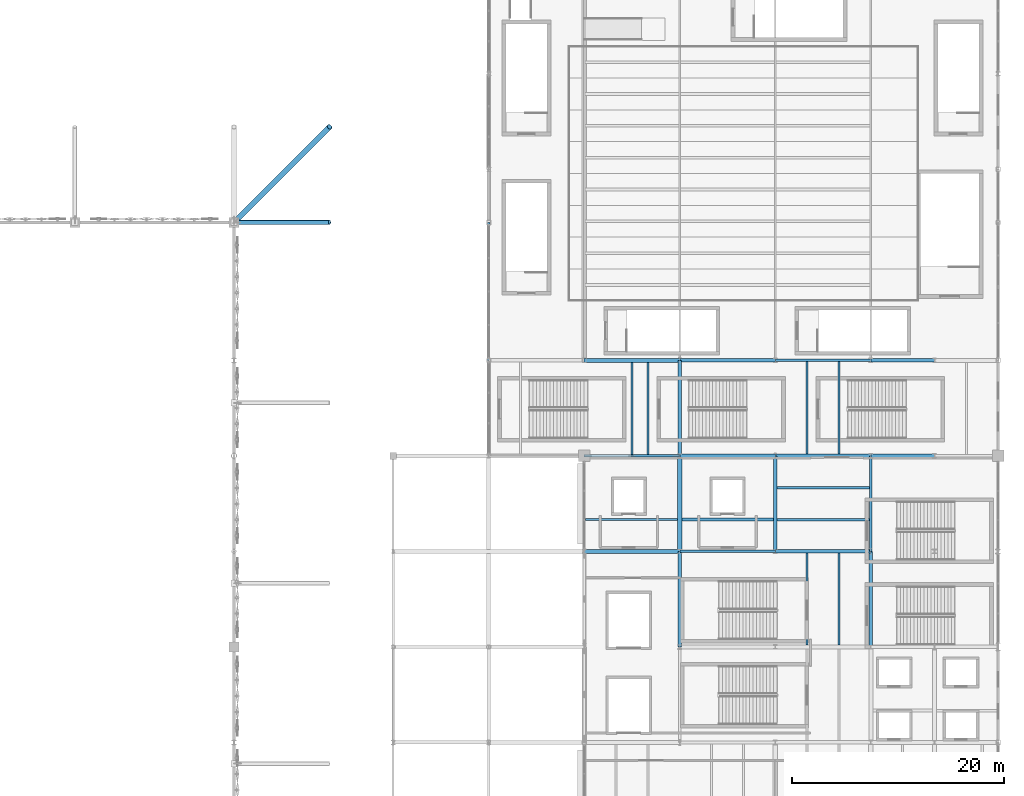
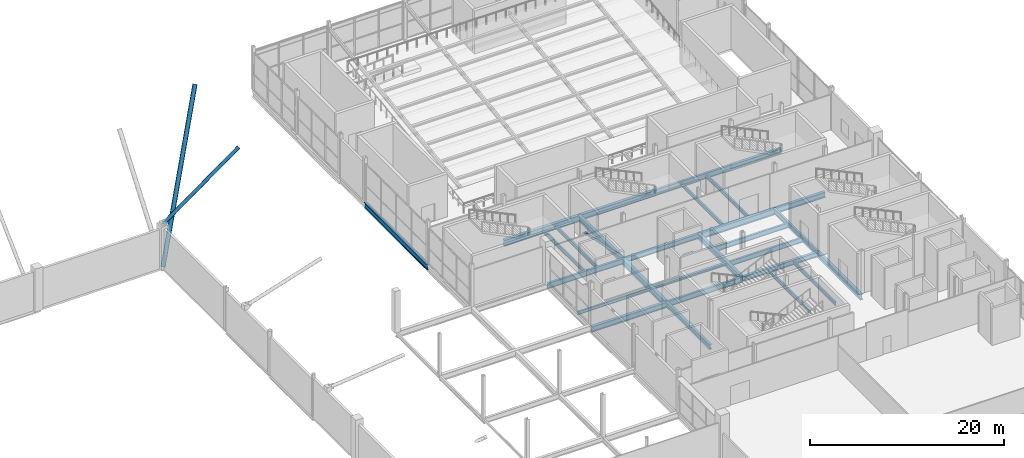
# One storey, part 57 of 119: 28 beams, 3 members.
"""IFC4 building model written with IfcOpenShell, lengths in metres."""

from ifc_helpers import new_model, si_unit, direction, frame, origin, origin_2d, place, context, subcontext, project, spatial, hollow_rectangle, hollow_circle, i_section, extrude, material, material_profile, profile_set, type_object, element, save


model = new_model("IFC4")

# Units and contexts
model_context = context("Model", 3, precision=1e-05, world=origin(), true_north=direction((0.0, 1.0)))
body_context = subcontext(model_context, "Body", "Model", "MODEL_VIEW")
ifc_project = project(units=[si_unit("LENGTHUNIT", "METRE"), si_unit("AREAUNIT", "SQUARE_METRE"), si_unit("VOLUMEUNIT", "CUBIC_METRE"), si_unit("PLANEANGLEUNIT", "RADIAN"), si_unit("MASSUNIT", "GRAM", prefix="KILO")], contexts=[model_context])

# Site, building, storey
site_placement = place(None, origin())
site = spatial("IfcSite", under=ifc_project, at=site_placement, CompositionType="ELEMENT")
building_placement = place(site_placement, origin())
building = spatial("IfcBuilding", under=site, at=building_placement, Name="Qamarlyn Nura Convention Centre", CompositionType="ELEMENT")
storey_placement = place(building_placement, frame((0.0, 0.0, 5.39990234375)))
storey = spatial("IfcBuildingStorey", under=building, at=storey_placement, Name="L01", CompositionType="ELEMENT", Elevation=5.39990234375)

# Beams
ifc_material_1 = material(Name="Steel ASTM A992", Category="steel")
ifc_material_profile_1 = material_profile(ifc_material_1, i_section(OverallWidth=0.323974609375, OverallDepth=0.611083984375, WebThickness=0.0126953125, FlangeThickness=0.01904296875, FilletRadius=0.01611328125, at=origin_2d()), Name="W610X155")
ifc_profile_set_1 = profile_set([ifc_material_profile_1], Name="Steel ASTM A992")
beam_type_1 = type_object("IfcBeamType", Name="BM-GIRD-610", PredefinedType="BEAM", material=ifc_profile_set_1)
for number, where, z_axis, x_axis, name in (
    (1, (171.0, 72.0, -0.525390625), (1.0, 0.0, 0.0), (0.0, 1.0, 0.0), "L01 girder J 15-16"),
    (2, (162.0, 81.0, -0.54541015625), (1.0, 0.0, 0.0), (0.0, 1.0, 0.0), "L01 girder K 14-15"),
):
    element("IfcBeam", number, at=place(storey_placement, frame(where, z_axis=z_axis, x_axis=x_axis)), inside=storey, type_object=beam_type_1, Name=name, PredefinedType="BEAM", context=body_context, shape_type="SweptSolid", body=[
        extrude(i_section(OverallWidth=0.323974609375, OverallDepth=0.611083984375, WebThickness=0.0126953125, FlangeThickness=0.01904296875, FilletRadius=0.01611328125, at=origin_2d()), origin(), (0.0, 0.0, 1.0), 9.0),
    ])
beam_1_placement = place(storey_placement, frame((180.0, 90.0, -0.54541015625), z_axis=(1.0, 0.0, 0.0), x_axis=(0.0, 1.0, 0.0)))
element("IfcBeam", 3, at=beam_1_placement, inside=storey, type_object=beam_type_1, Name="L01 girder L 16-17", PredefinedType="BEAM", context=body_context, shape_type="SweptSolid", body=[
    extrude(i_section(OverallWidth=0.323974609375, OverallDepth=0.611083984375, WebThickness=0.0126953125, FlangeThickness=0.01904296875, FilletRadius=0.01611328125, at=origin_2d()), origin(), (0.0, 0.0, 1.0), 6.0),
])
beam_2_placement = place(storey_placement, frame((162.0, 63.0, -0.525390625), z_axis=(0.0, 1.0, 0.0), x_axis=(-1.0, 0.0, 0.0)))
element("IfcBeam", 4, at=beam_2_placement, inside=storey, type_object=beam_type_1, Name="L01 girder 14 H-J", PredefinedType="BEAM", context=body_context, shape_type="SweptSolid", body=[
    extrude(i_section(OverallWidth=0.323974609375, OverallDepth=0.611083984375, WebThickness=0.0126953125, FlangeThickness=0.01904296875, FilletRadius=0.01611328125, at=origin_2d()), origin(), (0.0, 0.0, 1.0), 9.0),
])
ifc_material_profile_2 = material_profile(ifc_material_1, i_section(OverallWidth=0.35498046875, OverallDepth=0.695068359375, WebThickness=0.015380859375, FlangeThickness=0.02490234375, FilletRadius=0.01806640625, at=origin_2d()), Name="W690X217")
ifc_profile_set_2 = profile_set([ifc_material_profile_2], Name="Steel ASTM A992")
beam_type_2 = type_object("IfcBeamType", Name="BM-GIRD-690A", PredefinedType="BEAM", material=ifc_profile_set_2)
beam_3_placement = place(storey_placement, frame((153.0, 72.0, -0.5673828125), z_axis=(1.0, 0.0, 0.0), x_axis=(0.0, 1.0, 0.0)))
element("IfcBeam", 5, at=beam_3_placement, inside=storey, type_object=beam_type_2, Name="L01 girder J 13-14", PredefinedType="BEAM", context=body_context, shape_type="SweptSolid", body=[
    extrude(i_section(OverallWidth=0.35498046875, OverallDepth=0.695068359375, WebThickness=0.015380859375, FlangeThickness=0.02490234375, FilletRadius=0.01806640625, at=origin_2d()), origin(), (0.0, 0.0, 1.0), 9.0),
])
beam_4_placement = place(storey_placement, frame((180.0, 81.0, -0.58740234375), z_axis=(1.0, 0.0, 0.0), x_axis=(0.0, 1.0, 0.0)))
element("IfcBeam", 6, at=beam_4_placement, inside=storey, type_object=beam_type_2, Name="L01 girder K 16-17", PredefinedType="BEAM", context=body_context, shape_type="SweptSolid", body=[
    extrude(i_section(OverallWidth=0.35498046875, OverallDepth=0.695068359375, WebThickness=0.015380859375, FlangeThickness=0.02490234375, FilletRadius=0.01806640625, at=origin_2d()), origin(), (0.0, 0.0, 1.0), 6.0),
])
for number, where, z_axis, x_axis, name in (
    (7, (162.0, 90.0, -0.58740234375), (1.0, 0.0, 0.0), (0.0, 1.0, 0.0), "L01 girder L 14-15"),
    (8, (162.0, 81.0, -0.58740234375), (0.0, 1.0, 0.0), (-1.0, 0.0, 0.0), "L01 girder 14 K-L"),
    (9, (171.0, 72.0, -0.5673828125), (0.0, 1.0, 0.0), (-1.0, 0.0, 0.0), "L01 girder 15 J-K"),
    (10, (180.0, 63.0, -0.5673828125), (0.0, 1.0, 0.0), (-1.0, 0.0, 0.0), "L01 girder 16 H-J"),
):
    element("IfcBeam", number, at=place(storey_placement, frame(where, z_axis=z_axis, x_axis=x_axis)), inside=storey, type_object=beam_type_2, Name=name, PredefinedType="BEAM", context=body_context, shape_type="SweptSolid", body=[
        extrude(i_section(OverallWidth=0.35498046875, OverallDepth=0.695068359375, WebThickness=0.015380859375, FlangeThickness=0.02490234375, FilletRadius=0.01806640625, at=origin_2d()), origin(), (0.0, 0.0, 1.0), 9.0),
    ])
ifc_material_profile_3 = material_profile(ifc_material_1, i_section(OverallWidth=0.25390625, OverallDepth=0.68408203125, WebThickness=0.012451171875, FlangeThickness=0.01904296875, FilletRadius=0.01806640625, at=origin_2d()), Name="W690X140")
ifc_profile_set_3 = profile_set([ifc_material_profile_3], Name="Steel ASTM A992")
beam_type_3 = type_object("IfcBeamType", Name="BM-GIRD-690B", PredefinedType="BEAM", material=ifc_profile_set_3)
for number, where, z_axis, x_axis, name in (
    (11, (162.0, 72.0, -0.56201171875), (1.0, 0.0, 0.0), (0.0, 1.0, 0.0), "L01 girder J 14-15"),
    (12, (153.0, 81.0, -0.581787109375), (1.0, 0.0, 0.0), (0.0, 1.0, 0.0), "L01 girder K 13-14"),
    (13, (171.0, 90.0, -0.581787109375), (1.0, 0.0, 0.0), (0.0, 1.0, 0.0), "L01 girder L 15-16"),
):
    element("IfcBeam", number, at=place(storey_placement, frame(where, z_axis=z_axis, x_axis=x_axis)), inside=storey, type_object=beam_type_3, Name=name, PredefinedType="BEAM", context=body_context, shape_type="SweptSolid", body=[
        extrude(i_section(OverallWidth=0.25390625, OverallDepth=0.68408203125, WebThickness=0.012451171875, FlangeThickness=0.01904296875, FilletRadius=0.01806640625, at=origin_2d()), origin(), (0.0, 0.0, 1.0), 9.0),
    ])
beam_5_placement = place(storey_placement, frame((144.0, 90.0, -0.581787109375), z_axis=(0.0, 1.0, 0.0), x_axis=(-1.0, 0.0, 0.0)))
element("IfcBeam", 14, at=beam_5_placement, inside=storey, type_object=beam_type_3, Name="L01 girder 12 L-M", PredefinedType="BEAM", context=body_context, shape_type="SweptSolid", body=[
    extrude(i_section(OverallWidth=0.25390625, OverallDepth=0.68408203125, WebThickness=0.012451171875, FlangeThickness=0.01904296875, FilletRadius=0.01806640625, at=origin_2d()), origin(), (0.0, 0.0, 1.0), 13.0),
])
beam_6_placement = place(storey_placement, frame((180.0, 72.0, -0.56201171875), z_axis=(0.0, 1.0, 0.0), x_axis=(-1.0, 0.0, 0.0)))
element("IfcBeam", 15, at=beam_6_placement, inside=storey, type_object=beam_type_3, Name="L01 girder 16 J-K", PredefinedType="BEAM", context=body_context, shape_type="SweptSolid", body=[
    extrude(i_section(OverallWidth=0.25390625, OverallDepth=0.68408203125, WebThickness=0.012451171875, FlangeThickness=0.01904296875, FilletRadius=0.01806640625, at=origin_2d()), origin(), (0.0, 0.0, 1.0), 9.0),
])
ifc_material_profile_4 = material_profile(ifc_material_1, i_section(OverallWidth=0.381103515625, OverallDepth=0.77294921875, WebThickness=0.0166015625, FlangeThickness=0.027587890625, FilletRadius=0.02001953125, at=origin_2d()), Name="W760X257")
ifc_profile_set_4 = profile_set([ifc_material_profile_4], Name="Steel ASTM A992")
beam_type_4 = type_object("IfcBeamType", Name="BM-GIRD-760", PredefinedType="BEAM", material=ifc_profile_set_4)
for number, where, z_axis, x_axis, name in (
    (16, (171.0, 81.0, -0.62646484375), (1.0, 0.0, 0.0), (0.0, 1.0, 0.0), "L01 girder K 15-16"),
    (17, (153.0, 90.0, -0.62646484375), (1.0, 0.0, 0.0), (0.0, 1.0, 0.0), "L01 girder L 13-14"),
    (18, (162.0, 72.0, -0.6064453125), (0.0, 1.0, 0.0), (-1.0, 0.0, 0.0), "L01 girder 14 J-K"),
):
    element("IfcBeam", number, at=place(storey_placement, frame(where, z_axis=z_axis, x_axis=x_axis)), inside=storey, type_object=beam_type_4, Name=name, PredefinedType="BEAM", context=body_context, shape_type="SweptSolid", body=[
        extrude(i_section(OverallWidth=0.381103515625, OverallDepth=0.77294921875, WebThickness=0.0166015625, FlangeThickness=0.027587890625, FilletRadius=0.02001953125, at=origin_2d()), origin(), (0.0, 0.0, 1.0), 9.0),
    ])
ifc_material_profile_5 = material_profile(ifc_material_1, i_section(OverallWidth=0.304931640625, OverallDepth=0.30810546875, WebThickness=0.010009765625, FlangeThickness=0.015380859375, FilletRadius=0.014892578125, at=origin_2d()), Name="W310X97")
ifc_profile_set_5 = profile_set([ifc_material_profile_5], Name="Steel ASTM A992")
beam_type_5 = type_object("IfcBeamType", Name="BM-JOIST-310", PredefinedType="JOIST", material=ifc_profile_set_5)
beam_7_placement = place(storey_placement, frame((162.1904296875, 75.0, -0.3740234375), z_axis=(1.0, 0.0, 0.0), x_axis=(0.0, 1.0, 0.0)))
element("IfcBeam", 19, at=beam_7_placement, inside=storey, type_object=beam_type_5, Name="L01 composite joist 14-15/J+1", PredefinedType="JOIST", context=body_context, shape_type="SweptSolid", body=[
    extrude(i_section(OverallWidth=0.304931640625, OverallDepth=0.30810546875, WebThickness=0.010009765625, FlangeThickness=0.015380859375, FilletRadius=0.014892578125, at=origin_2d()), origin(), (0.0, 0.0, 1.0), 8.632080078125),
])
ifc_material_profile_6 = material_profile(ifc_material_1, i_section(OverallWidth=0.177978515625, OverallDepth=0.406982421875, WebThickness=0.0078125, FlangeThickness=0.0126953125, FilletRadius=0.011962890625, at=origin_2d()), Name="W410X60")
ifc_profile_set_6 = profile_set([ifc_material_profile_6], Name="Steel ASTM A992")
beam_type_6 = type_object("IfcBeamType", Name="BM-JOIST-410", PredefinedType="JOIST", material=ifc_profile_set_6)
beam_8_placement = place(storey_placement, frame((153.126953125, 75.0, -0.42333984375), z_axis=(1.0, 0.0, 0.0), x_axis=(0.0, 1.0, 0.0)))
element("IfcBeam", 20, at=beam_8_placement, inside=storey, type_object=beam_type_6, Name="L01 composite joist 13-14/J+1", PredefinedType="JOIST", context=body_context, shape_type="SweptSolid", body=[
    extrude(i_section(OverallWidth=0.177978515625, OverallDepth=0.406982421875, WebThickness=0.0078125, FlangeThickness=0.0126953125, FilletRadius=0.011962890625, at=origin_2d()), origin(), (0.0, 0.0, 1.0), 8.6826171875),
])
ifc_material_profile_7 = material_profile(ifc_material_1, i_section(OverallWidth=0.18994140625, OverallDepth=0.45703125, WebThickness=0.009033203125, FlangeThickness=0.014404296875, FilletRadius=0.012939453125, at=origin_2d()), Name="W460X74")
ifc_profile_set_7 = profile_set([ifc_material_profile_7], Name="Steel ASTM A992")
beam_type_7 = type_object("IfcBeamType", Name="BM-JOIST-460", PredefinedType="JOIST", material=ifc_profile_set_7)
for number, where, z_axis, x_axis, name in (
    (21, (159.0, 81.126953125, -0.468505859375), (0.0, 1.0, 0.0), (-1.0, 0.0, 0.0), "L01 secondary joist 13-14/K-L-12"),
    (22, (157.5, 81.126953125, -0.468505859375), (0.0, 1.0, 0.0), (-1.0, 0.0, 0.0), "L01 secondary joist 13-14/K-L-13"),
):
    element("IfcBeam", number, at=place(storey_placement, frame(where, z_axis=z_axis, x_axis=x_axis)), inside=storey, type_object=beam_type_7, Name=name, PredefinedType="JOIST", context=body_context, shape_type="SweptSolid", body=[
        extrude(i_section(OverallWidth=0.18994140625, OverallDepth=0.45703125, WebThickness=0.009033203125, FlangeThickness=0.014404296875, FilletRadius=0.012939453125, at=origin_2d()), origin(), (0.0, 0.0, 1.0), 8.6826171875),
    ])
for number, where, z_axis, x_axis, name in (
    (23, (174.0, 63.177490234375, -0.448486328125), (0.0, 1.0, 0.0), (-1.0, 0.0, 0.0), "L01 secondary joist 15-16/H-J-32"),
    (24, (177.0, 63.177490234375, -0.448486328125), (0.0, 1.0, 0.0), (-1.0, 0.0, 0.0), "L01 secondary joist 15-16/H-J-33"),
):
    element("IfcBeam", number, at=place(storey_placement, frame(where, z_axis=z_axis, x_axis=x_axis)), inside=storey, type_object=beam_type_7, Name=name, PredefinedType="JOIST", context=body_context, shape_type="SweptSolid", body=[
        extrude(i_section(OverallWidth=0.18994140625, OverallDepth=0.45703125, WebThickness=0.009033203125, FlangeThickness=0.014404296875, FilletRadius=0.012939453125, at=origin_2d()), origin(), (0.0, 0.0, 1.0), 8.660400390625),
    ])
for number, where, z_axis, x_axis, name in (
    (25, (174.0, 81.1904296875, -0.468505859375), (0.0, 1.0, 0.0), (-1.0, 0.0, 0.0), "L01 secondary joist 15-16/K-L-34"),
    (26, (177.0, 81.1904296875, -0.468505859375), (0.0, 1.0, 0.0), (-1.0, 0.0, 0.0), "L01 secondary joist 15-16/K-L-35"),
):
    element("IfcBeam", number, at=place(storey_placement, frame(where, z_axis=z_axis, x_axis=x_axis)), inside=storey, type_object=beam_type_7, Name=name, PredefinedType="JOIST", context=body_context, shape_type="SweptSolid", body=[
        extrude(i_section(OverallWidth=0.18994140625, OverallDepth=0.45703125, WebThickness=0.009033203125, FlangeThickness=0.014404296875, FilletRadius=0.012939453125, at=origin_2d()), origin(), (0.0, 0.0, 1.0), 8.6826171875),
    ])
ifc_material_profile_8 = material_profile(ifc_material_1, i_section(OverallWidth=0.22802734375, OverallDepth=0.60791015625, WebThickness=0.01123046875, FlangeThickness=0.017333984375, FilletRadius=0.01611328125, at=origin_2d()), Name="W610X113")
ifc_profile_set_8 = profile_set([ifc_material_profile_8], Name="Steel ASTM A992")
beam_type_8 = type_object("IfcBeamType", Name="BM-JOIST-610", PredefinedType="JOIST", material=ifc_profile_set_8)
for number, where, z_axis, x_axis, name in (
    (27, (171.177490234375, 75.0, -0.52392578125), (1.0, 0.0, 0.0), (0.0, 1.0, 0.0), "L01 composite joist 15-16/J+1"),
    (28, (171.177490234375, 78.0, -0.52392578125), (1.0, 0.0, 0.0), (0.0, 1.0, 0.0), "L01 composite joist 15-16/J+2"),
):
    element("IfcBeam", number, at=place(storey_placement, frame(where, z_axis=z_axis, x_axis=x_axis)), inside=storey, type_object=beam_type_8, Name=name, PredefinedType="JOIST", context=body_context, shape_type="SweptSolid", body=[
        extrude(i_section(OverallWidth=0.22802734375, OverallDepth=0.60791015625, WebThickness=0.01123046875, FlangeThickness=0.017333984375, FilletRadius=0.01611328125, at=origin_2d()), origin(), (0.0, 0.0, 1.0), 8.695556640625),
    ])

# Members
ifc_material_2 = material(Name="Steel ASTM A500 Grade C", Category="steel")
ifc_material_profile_9 = material_profile(ifc_material_2, hollow_rectangle(XDim=0.25, YDim=0.25, WallThickness=0.012451171875, InnerFilletRadius=0.012451171875, OuterFilletRadius=0.02490234375, at=origin_2d()), Name="HSS250X250X12.5")
ifc_profile_set_9 = profile_set([ifc_material_profile_9], Name="Steel ASTM A500 Grade C")
member_type_1 = type_object("IfcMemberType", Name="CBF-BRC-250", PredefinedType="BRACE", material=ifc_profile_set_9)
member_1_placement = place(storey_placement, frame((161.820068359375, 81.0, 0.0), z_axis=(-0.692850446398, 0.0, 0.721081312284), x_axis=(0.0, -1.0, 0.0)))
element("IfcMember", 29, at=member_1_placement, inside=storey, type_object=member_type_1, Name="L01 SCBF chevron brace CBF-N1R", PredefinedType="BRACE", context=body_context, shape_type="SweptSolid", body=[
    extrude(hollow_rectangle(XDim=0.25, YDim=0.25, WallThickness=0.012451171875, InnerFilletRadius=0.012451171875, OuterFilletRadius=0.02490234375, at=origin_2d()), origin(), (0.0, 0.0, 1.0), 6.235107421875),
])
ifc_material_3 = material(Name="Pearl-white PVDF steel ASTM A500 Grade C", Category="steel")
ifc_material_profile_10 = material_profile(ifc_material_3, hollow_circle(Radius=0.203125, WallThickness=0.01611328125, at=origin_2d()), Name="CHS406.4X16")
ifc_profile_set_10 = profile_set([ifc_material_profile_10], Name="Pearl-white PVDF steel ASTM A500 Grade C")
member_type_2 = type_object("IfcMemberType", Name="STR-TREE-01", PredefinedType="BRACE", material=ifc_profile_set_10)
member_2_placement = place(storey_placement, frame((120.0, 103.0, 5.400146484375), z_axis=(0.810439158361, 0.0, 0.585822815018), x_axis=(0.0, 1.0, 0.0)))
element("IfcMember", 30, at=member_2_placement, inside=storey, type_object=member_type_2, Name="Raked tree strut RTS-E-7", PredefinedType="BRACE", context=body_context, shape_type="SweptSolid", body=[
    extrude(hollow_circle(Radius=0.203125, WallThickness=0.01611328125, at=origin_2d()), origin(), (0.0, 0.0, 1.0), 11.10498046875),
])
ifc_material_profile_11 = material_profile(ifc_material_3, hollow_circle(Radius=0.25390625, WallThickness=0.02001953125, at=origin_2d()), Name="CHS508X20")
ifc_profile_set_11 = profile_set([ifc_material_profile_11], Name="Pearl-white PVDF steel ASTM A500 Grade C")
member_type_3 = type_object("IfcMemberType", Name="STR-TREE-02", PredefinedType="BRACE", material=ifc_profile_set_11)
member_3_placement = place(storey_placement, frame((120.0, 103.0, 0.0), z_axis=(0.469191650761, 0.469191650761, 0.748143294905), x_axis=(-0.707106781187, 0.707106781187, 0.0)))
element("IfcMember", 31, at=member_3_placement, inside=storey, type_object=member_type_3, Name="Raked tree strut RTS-NE-CRN", PredefinedType="BRACE", context=body_context, shape_type="SweptSolid", body=[
    extrude(hollow_circle(Radius=0.25390625, WallThickness=0.02001953125, at=origin_2d()), origin(), (0.0, 0.0, 1.0), 19.181884765625),
])

save(model, "model.ifc")
